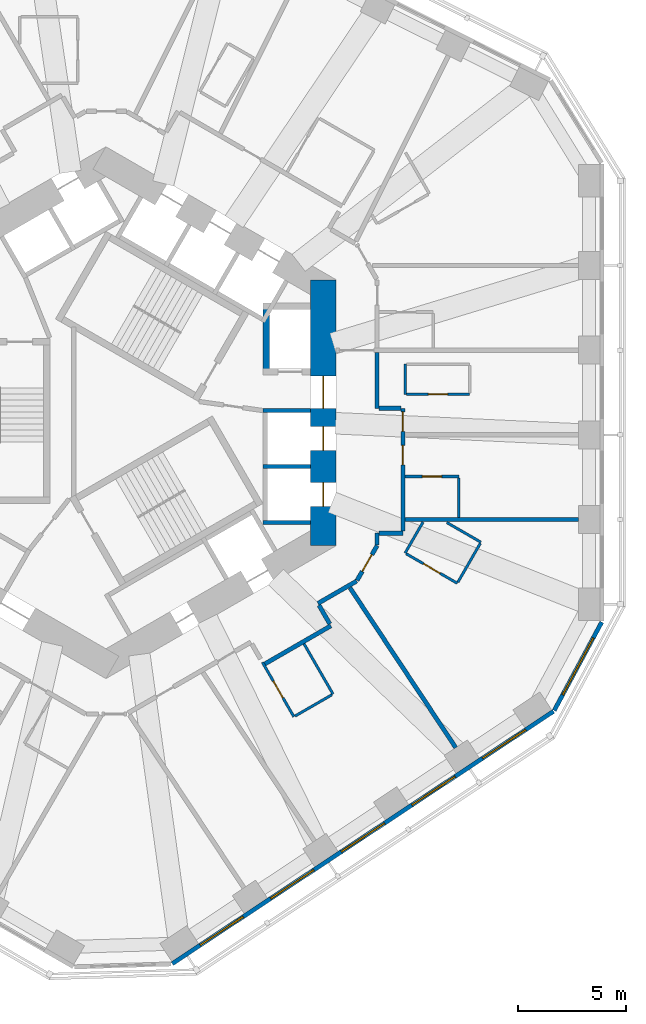
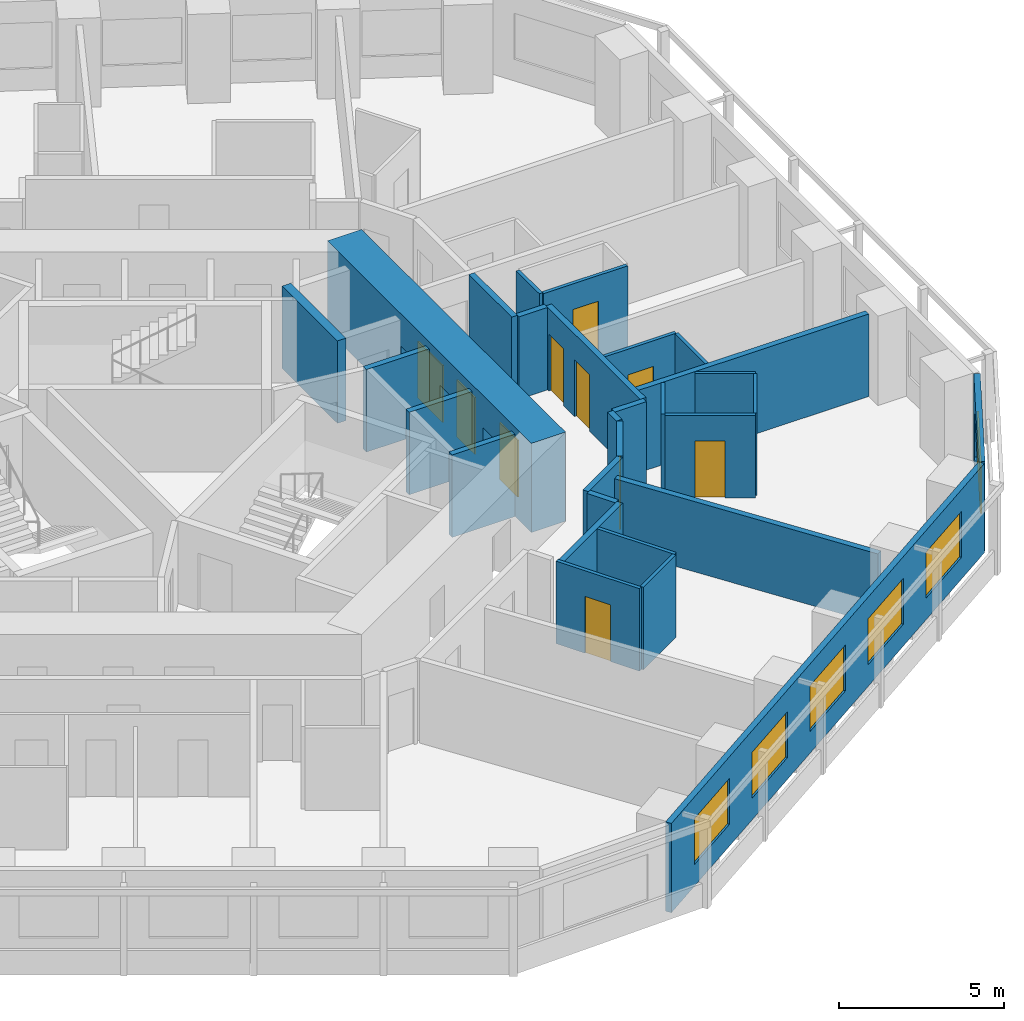
# One storey, part 6 of 12: 29 walls, 10 doors, 6 windows, 16 openings.
"""IFC4 building model written with IfcOpenShell, lengths in metres."""

from ifc_helpers import new_model, si_unit, direction, frame, frame_2d, origin, place, context, subcontext, project, spatial, rectangle, extrude, material, layer, layer_set, type_object, element, fill, save


model = new_model("IFC4")

# Units and contexts
model_context = context("Model", 3, precision=1e-05, world=origin(), true_north=direction((0.0, 1.0)))
body_context = subcontext(model_context, "Body", "Model", "MODEL_VIEW")
ifc_project = project(units=[si_unit("LENGTHUNIT", "METRE"), si_unit("AREAUNIT", "SQUARE_METRE"), si_unit("VOLUMEUNIT", "CUBIC_METRE"), si_unit("PLANEANGLEUNIT", "RADIAN"), si_unit("MASSUNIT", "GRAM", prefix="KILO")], contexts=[model_context])

# Site, building, storey
site_placement = place(None, origin())
site = spatial("IfcSite", under=ifc_project, at=site_placement, CompositionType="ELEMENT")
building_placement = place(site_placement, origin())
building = spatial("IfcBuilding", under=site, at=building_placement, Name="Vanh Sen Convention Tower", CompositionType="ELEMENT")
storey_placement = place(building_placement, frame((0.0, 0.0, 53.89990234375)))
storey = spatial("IfcBuildingStorey", under=building, at=storey_placement, Name="L10", CompositionType="ELEMENT", Elevation=53.89990234375)

# Wall, opening, door
ifc_material_1 = material(Name="Moisture-resistant gypsum board on steel studs", Category="steel")
ifc_layer_1 = layer(ifc_material_1, 0.1201171875)
ifc_layer_set_1 = layer_set([ifc_layer_1], Name="Moisture-resistant gypsum board on steel studs")
wall_type_1 = type_object("IfcWallType", Name="Bathroom partition 120", PredefinedType="PARTITIONING", material=ifc_layer_set_1)
wall_1_placement = place(storey_placement, frame((8.732666015625, -14.12744140625, 0.0), z_axis=(0.0, 0.0, 1.0), x_axis=(-0.499978132246, 0.86603802877, 0.0)))
wall_1 = element("IfcWall", 1, at=wall_1_placement, inside=storey, type_object=wall_type_1, Name="Bathroom partition 120", PredefinedType="PARTITIONING", context=body_context, shape_type="SweptSolid", body=[
    extrude(rectangle(XDim=2.920654296875, YDim=0.1201171875, at=frame_2d((1.46044921875, 0.0))), origin(), (0.0, 0.0, 1.0), 3.050048828125),
])
opening_1_placement = place(wall_1_placement, frame((1.01025390625, 0.0, 0.0)))
opening_1 = element("IfcOpeningElement", 2, at=opening_1_placement, cuts=wall_1, Name="Opening D10136", PredefinedType="OPENING", context=body_context, shape_type="SweptSolid", body=[
    extrude(rectangle(XDim=0.89990234375, YDim=2.10009765625, at=frame_2d((0.449951171875, 1.050048828125))), frame((0.0, 0.070068359375, 0.0), z_axis=(0.0, -1.0, 0.0), x_axis=(1.0, 0.0, 0.0)), (0.0, 0.0, 1.0), 0.14013671875),
])
ifc_material_2 = material(Name="Laminate door in steel frame", Category="steel")
door_type_1 = type_object("IfcDoorType", Name="En-suite door 900", OperationType="SINGLE_SWING_LEFT", PredefinedType="DOOR", material=ifc_material_2)
door_1_placement = place(opening_1_placement, origin())
door_1 = element("IfcDoor", 3, at=door_1_placement, inside=storey, type_object=door_type_1, Name="En-suite door D10136", OperationType="SINGLE_SWING_LEFT", OverallHeight=2.10009765625, OverallWidth=0.89990234375, PredefinedType="DOOR", context=body_context, shape_type="SweptSolid", body=[
    extrude(rectangle(XDim=0.89990234375, YDim=2.10009765625, at=frame_2d((0.449951171875, 1.050048828125))), frame((0.0, 0.02490234375, 0.0), z_axis=(0.0, -1.0, 0.0), x_axis=(1.0, 0.0, 0.0)), (0.0, 0.0, 1.0), 0.050048828125),
])
fill(opening_1, door_1)

# Walls
wall_2_placement = place(storey_placement, frame((9.202880859375, -10.738037109375, 0.0), z_axis=(0.0, 0.0, 1.0), x_axis=(0.50000943426, -0.866019956843, 0.0)))
element("IfcWall", 4, at=wall_2_placement, inside=storey, type_object=wall_type_1, Name="Bathroom partition 120", PredefinedType="PARTITIONING", context=body_context, shape_type="SweptSolid", body=[
    extrude(rectangle(XDim=2.7001953125, YDim=0.1201171875, at=frame_2d((1.35009765625, 0.0))), origin(), (0.0, 0.0, 1.0), 3.050048828125),
])
wall_3_placement = place(storey_placement, frame((10.5009765625, -13.1064453125, 0.0), z_axis=(0.0, 0.0, 1.0), x_axis=(-0.866013262469, -0.500021028785, 0.0)))
element("IfcWall", 5, at=wall_3_placement, inside=storey, type_object=wall_type_1, Name="Bathroom partition 120", PredefinedType="PARTITIONING", context=body_context, shape_type="SweptSolid", body=[
    extrude(rectangle(XDim=1.98193359375, YDim=0.1201171875, at=frame_2d((0.990966796875, 0.0))), origin(), (0.0, 0.0, 1.0), 3.050048828125),
])
wall_4_placement = place(storey_placement, frame((13.90087890625, -6.5244140625, 0.0), z_axis=(0.0, 0.0, 1.0), x_axis=(0.499964162598, 0.86604609353, 0.0)))
element("IfcWall", 6, at=wall_4_placement, inside=storey, type_object=wall_type_1, Name="Bathroom partition 120", PredefinedType="PARTITIONING", context=body_context, shape_type="SweptSolid", body=[
    extrude(rectangle(XDim=1.6611328125, YDim=0.1201171875, at=frame_2d((0.83056640625, 0.0))), origin(), (0.0, 0.0, 1.0), 3.050048828125),
])

# Wall, opening, door
wall_5_placement = place(storey_placement, frame((13.90087890625, -2.964599609375, 0.0), z_axis=(0.0, 0.0, 1.0), x_axis=(1.0, 0.0, 0.0)))
wall_5 = element("IfcWall", 7, at=wall_5_placement, inside=storey, type_object=wall_type_1, Name="Bathroom partition 120", PredefinedType="PARTITIONING", context=body_context, shape_type="SweptSolid", body=[
    extrude(rectangle(XDim=2.5, YDim=0.1201171875, at=frame_2d((1.25, 0.0))), origin(), (0.0, 0.0, 1.0), 3.050048828125),
])
opening_2_placement = place(wall_5_placement, frame((0.800048828125, 0.0, 0.0)))
opening_2 = element("IfcOpeningElement", 8, at=opening_2_placement, cuts=wall_5, Name="Opening D10102", PredefinedType="OPENING", context=body_context, shape_type="SweptSolid", body=[
    extrude(rectangle(XDim=0.89990234375, YDim=2.10009765625, at=frame_2d((0.449951171875, 1.050048828125))), frame((0.0, 0.070068359375, 0.0), z_axis=(0.0, -1.0, 0.0), x_axis=(1.0, 0.0, 0.0)), (0.0, 0.0, 1.0), 0.14013671875),
])
door_2_placement = place(opening_2_placement, origin())
door_2 = element("IfcDoor", 9, at=door_2_placement, inside=storey, type_object=door_type_1, Name="En-suite door D10102", OperationType="SINGLE_SWING_LEFT", OverallHeight=2.10009765625, OverallWidth=0.89990234375, PredefinedType="DOOR", context=body_context, shape_type="SweptSolid", body=[
    extrude(rectangle(XDim=0.89990234375, YDim=2.10009765625, at=frame_2d((0.449951171875, 1.050048828125))), frame((0.0, 0.02490234375, 0.0), z_axis=(0.0, -1.0, 0.0), x_axis=(1.0, 0.0, 0.0)), (0.0, 0.0, 1.0), 0.050048828125),
])
fill(opening_2, door_2)

# Walls
wall_6_placement = place(storey_placement, frame((13.89990234375, 0.852783203125, 0.0), z_axis=(0.0, 0.0, 1.0), x_axis=(0.0, 1.0, 0.0)))
element("IfcWall", 10, at=wall_6_placement, inside=storey, type_object=wall_type_1, Name="Bathroom partition 120", PredefinedType="PARTITIONING", context=body_context, shape_type="SweptSolid", body=[
    extrude(rectangle(XDim=1.39990234375, YDim=0.1201171875, at=frame_2d((0.699951171875, 0.0))), origin(), (0.0, 0.0, 1.0), 3.050048828125),
])
wall_7_placement = place(storey_placement, frame((15.84130859375, -5.1044921875, 0.0), z_axis=(0.0, 0.0, 1.0), x_axis=(0.866025591402, -0.499999675036, 0.0)))
element("IfcWall", 11, at=wall_7_placement, inside=storey, type_object=wall_type_1, Name="Bathroom partition 120", PredefinedType="PARTITIONING", context=body_context, shape_type="SweptSolid", body=[
    extrude(rectangle(XDim=1.82958984375, YDim=0.1201171875, at=frame_2d((0.914794921875, 0.0))), origin(), (0.0, 0.0, 1.0), 3.050048828125),
])

# Wall, opening, door
wall_8_placement = place(storey_placement, frame((16.32568359375, -7.924560546875, 0.0), z_axis=(0.0, 0.0, 1.0), x_axis=(-0.865997131366, 0.500048966069, 0.0)))
wall_8 = element("IfcWall", 12, at=wall_8_placement, inside=storey, type_object=wall_type_1, Name="Bathroom partition 120", PredefinedType="PARTITIONING", context=body_context, shape_type="SweptSolid", body=[
    extrude(rectangle(XDim=2.739990234375, YDim=0.1201171875, at=frame_2d((1.3701171875, 0.0))), origin(), (0.0, 0.0, 1.0), 3.050048828125),
])
opening_3_placement = place(wall_8_placement, frame((0.919921875, 0.0, 0.0)))
opening_3 = element("IfcOpeningElement", 13, at=opening_3_placement, cuts=wall_8, Name="Opening D10138", PredefinedType="OPENING", context=body_context, shape_type="SweptSolid", body=[
    extrude(rectangle(XDim=0.89990234375, YDim=2.10009765625, at=frame_2d((0.449951171875, 1.050048828125))), frame((0.0, 0.070068359375, 0.0), z_axis=(0.0, -1.0, 0.0), x_axis=(1.0, 0.0, 0.0)), (0.0, 0.0, 1.0), 0.14013671875),
])
door_3_placement = place(opening_3_placement, origin())
door_3 = element("IfcDoor", 14, at=door_3_placement, inside=storey, type_object=door_type_1, Name="En-suite door D10138", OperationType="SINGLE_SWING_LEFT", OverallHeight=2.10009765625, OverallWidth=0.89990234375, PredefinedType="DOOR", context=body_context, shape_type="SweptSolid", body=[
    extrude(rectangle(XDim=0.89990234375, YDim=2.10009765625, at=frame_2d((0.449951171875, 1.050048828125))), frame((0.0, 0.02490234375, 0.0), z_axis=(0.0, -1.0, 0.0), x_axis=(1.0, 0.0, 0.0)), (0.0, 0.0, 1.0), 0.050048828125),
])
fill(opening_3, door_3)

# Wall
wall_9_placement = place(storey_placement, frame((16.40087890625, -3.024658203125, 0.0), z_axis=(0.0, 0.0, 1.0), x_axis=(0.0, -1.0, 0.0)))
element("IfcWall", 15, at=wall_9_placement, inside=storey, type_object=wall_type_1, Name="Bathroom partition 120", PredefinedType="PARTITIONING", context=body_context, shape_type="SweptSolid", body=[
    extrude(rectangle(XDim=1.83984375, YDim=0.1201171875, at=frame_2d((0.919921875, 0.0))), origin(), (0.0, 0.0, 1.0), 3.050048828125),
])

# Wall, opening, door
wall_10_placement = place(storey_placement, frame((16.89990234375, 0.852783203125, 0.0), z_axis=(0.0, 0.0, 1.0), x_axis=(-1.0, 0.0, 0.0)))
wall_10 = element("IfcWall", 16, at=wall_10_placement, inside=storey, type_object=wall_type_1, Name="Bathroom partition 120", PredefinedType="PARTITIONING", context=body_context, shape_type="SweptSolid", body=[
    extrude(rectangle(XDim=2.93994140625, YDim=0.1201171875, at=frame_2d((1.469970703125, 0.0))), origin(), (0.0, 0.0, 1.0), 3.050048828125),
])
opening_4_placement = place(wall_10_placement, frame((1.02001953125, 0.0, 0.0)))
opening_4 = element("IfcOpeningElement", 17, at=opening_4_placement, cuts=wall_10, Name="Opening D10104", PredefinedType="OPENING", context=body_context, shape_type="SweptSolid", body=[
    extrude(rectangle(XDim=0.89990234375, YDim=2.10009765625, at=frame_2d((0.449951171875, 1.050048828125))), frame((0.0, 0.070068359375, 0.0), z_axis=(0.0, -1.0, 0.0), x_axis=(1.0, 0.0, 0.0)), (0.0, 0.0, 1.0), 0.14013671875),
])
door_4_placement = place(opening_4_placement, origin())
door_4 = element("IfcDoor", 18, at=door_4_placement, inside=storey, type_object=door_type_1, Name="En-suite door D10104", OperationType="SINGLE_SWING_LEFT", OverallHeight=2.10009765625, OverallWidth=0.89990234375, PredefinedType="DOOR", context=body_context, shape_type="SweptSolid", body=[
    extrude(rectangle(XDim=0.89990234375, YDim=2.10009765625, at=frame_2d((0.449951171875, 1.050048828125))), frame((0.0, 0.02490234375, 0.0), z_axis=(0.0, -1.0, 0.0), x_axis=(1.0, 0.0, 0.0)), (0.0, 0.0, 1.0), 0.050048828125),
])
fill(opening_4, door_4)

# Wall
wall_11_placement = place(storey_placement, frame((17.395751953125, -6.0712890625, 0.0), z_axis=(0.0, 0.0, 1.0), x_axis=(-0.500027264788, -0.866009661879, 0.0)))
element("IfcWall", 19, at=wall_11_placement, inside=storey, type_object=wall_type_1, Name="Bathroom partition 120", PredefinedType="PARTITIONING", context=body_context, shape_type="SweptSolid", body=[
    extrude(rectangle(XDim=2.080078125, YDim=0.1201171875, at=frame_2d((1.0400390625, 0.0))), origin(), (0.0, 0.0, 1.0), 3.050048828125),
])

# Wall, openings, doors
ifc_material_3 = material(Name="Concrete C80/95", Category="concrete")
ifc_layer_2 = layer(ifc_material_3, 1.199951171875)
ifc_layer_set_2 = layer_set([ifc_layer_2], Name="Concrete C80/95")
wall_type_2 = type_object("IfcWallType", Name="Core outer wall 1200 C80/95", PredefinedType="SHEAR", material=ifc_layer_set_2)
wall_12_placement = place(storey_placement, frame((10.10009765625, -6.177490234375, 0.0), z_axis=(0.0, 0.0, 1.0), x_axis=(0.0, 1.0, 0.0)))
wall_12 = element("IfcWall", 20, at=wall_12_placement, inside=storey, type_object=wall_type_2, Name="Core wall face E L10", PredefinedType="SHEAR", context=body_context, shape_type="SweptSolid", body=[
    extrude(rectangle(XDim=12.35498046875, YDim=1.199951171875, at=frame_2d((6.177490234375, 0.0))), origin(), (0.0, 0.0, 1.0), 3.300048828125),
])
opening_5_placement = place(wall_12_placement, frame((6.377685546875, 0.0, 0.0)))
opening_5 = element("IfcOpeningElement", 21, at=opening_5_placement, cuts=wall_12, Name="Opening D10001", PredefinedType="OPENING", context=body_context, shape_type="SweptSolid", body=[
    extrude(rectangle(XDim=1.5, YDim=2.10009765625, at=frame_2d((0.75, 1.050048828125))), frame((0.0, 0.60986328125, 0.0), z_axis=(0.0, -1.0, 0.0), x_axis=(1.0, 0.0, 0.0)), (0.0, 0.0, 1.0), 1.219970703125),
])
opening_6_placement = place(wall_12_placement, frame((1.82763671875, 0.0, 0.0)))
opening_6 = element("IfcOpeningElement", 22, at=opening_6_placement, cuts=wall_12, Name="Opening LD-LR1", PredefinedType="OPENING", context=body_context, shape_type="SweptSolid", body=[
    extrude(rectangle(XDim=1.10009765625, YDim=2.10009765625, at=frame_2d((0.550048828125, 1.050048828125))), frame((0.0, 0.60986328125, 0.0), z_axis=(0.0, -1.0, 0.0), x_axis=(1.0, 0.0, 0.0)), (0.0, 0.0, 1.0), 1.219970703125),
])
opening_7_placement = place(wall_12_placement, frame((4.427490234375, 0.0, 0.0)))
opening_7 = element("IfcOpeningElement", 23, at=opening_7_placement, cuts=wall_12, Name="Opening LD-LR2", PredefinedType="OPENING", context=body_context, shape_type="SweptSolid", body=[
    extrude(rectangle(XDim=1.10009765625, YDim=2.10009765625, at=frame_2d((0.550048828125, 1.050048828125))), frame((0.0, 0.60986328125, 0.0), z_axis=(0.0, -1.0, 0.0), x_axis=(1.0, 0.0, 0.0)), (0.0, 0.0, 1.0), 1.219970703125),
])
ifc_material_4 = material(Name="Stainless steel", Category="steel")
door_type_2 = type_object("IfcDoorType", Name="Lift landing door 1100", OperationType="DOUBLE_DOOR_SLIDING", PredefinedType="DOOR", material=ifc_material_4)
door_5_placement = place(opening_6_placement, origin())
door_5 = element("IfcDoor", 24, at=door_5_placement, inside=storey, type_object=door_type_2, Name="Lift LR1 landing door LD-LR1", OperationType="DOUBLE_DOOR_SLIDING", OverallHeight=2.10009765625, OverallWidth=1.10009765625, PredefinedType="DOOR", context=body_context, shape_type="SweptSolid", body=[
    extrude(rectangle(XDim=1.10009765625, YDim=2.10009765625, at=frame_2d((0.550048828125, 1.050048828125))), frame((0.0, 0.02490234375, 0.0), z_axis=(0.0, -1.0, 0.0), x_axis=(1.0, 0.0, 0.0)), (0.0, 0.0, 1.0), 0.050048828125),
])
fill(opening_6, door_5)
door_6_placement = place(opening_7_placement, origin())
door_6 = element("IfcDoor", 25, at=door_6_placement, inside=storey, type_object=door_type_2, Name="Lift LR2 landing door LD-LR2", OperationType="DOUBLE_DOOR_SLIDING", OverallHeight=2.10009765625, OverallWidth=1.10009765625, PredefinedType="DOOR", context=body_context, shape_type="SweptSolid", body=[
    extrude(rectangle(XDim=1.10009765625, YDim=2.10009765625, at=frame_2d((0.550048828125, 1.050048828125))), frame((0.0, 0.02490234375, 0.0), z_axis=(0.0, -1.0, 0.0), x_axis=(1.0, 0.0, 0.0)), (0.0, 0.0, 1.0), 0.050048828125),
])
fill(opening_7, door_6)
ifc_material_5 = material(Name="Steel S355", Category="steel")
door_type_3 = type_object("IfcDoorType", Name="Stair lobby door 1500", OperationType="DOUBLE_DOOR_SINGLE_SWING", PredefinedType="DOOR", material=ifc_material_5)
door_7_placement = place(opening_5_placement, origin())
door_7 = element("IfcDoor", 26, at=door_7_placement, inside=storey, type_object=door_type_3, Name="Stair lobby door D10001", OperationType="DOUBLE_DOOR_SINGLE_SWING", OverallHeight=2.10009765625, OverallWidth=1.5, PredefinedType="DOOR", context=body_context, shape_type="SweptSolid", body=[
    extrude(rectangle(XDim=1.5, YDim=2.10009765625, at=frame_2d((0.75, 1.050048828125))), frame((0.0, 0.02490234375, 0.0), z_axis=(0.0, -1.0, 0.0), x_axis=(1.0, 0.0, 0.0)), (0.0, 0.0, 1.0), 0.050048828125),
])
fill(opening_5, door_7)

# Walls
ifc_material_6 = material(Name="Gypsum board on steel studs with mineral wool", Category="steel")
ifc_layer_3 = layer(ifc_material_6, 0.199951171875)
ifc_layer_set_3 = layer_set([ifc_layer_3], Name="Gypsum board on steel studs with mineral wool")
wall_type_3 = type_object("IfcWallType", Name="Corridor partition wall 200", PredefinedType="PARTITIONING", material=ifc_layer_set_3)
wall_13_placement = place(storey_placement, frame((7.384521484375, -11.672607421875, 0.0), z_axis=(0.0, 0.0, 1.0), x_axis=(0.866037524642, 0.499979005472, 0.0)))
element("IfcWall", 27, at=wall_13_placement, inside=storey, type_object=wall_type_3, Name="Corridor partition wall 200", PredefinedType="PARTITIONING", context=body_context, shape_type="SweptSolid", body=[
    extrude(rectangle(XDim=3.542236328125, YDim=0.199951171875, at=frame_2d((1.77099609375, 0.0))), origin(), (0.0, 0.0, 1.0), 3.050048828125),
])
wall_14_placement = place(storey_placement, frame((9.8515625, -8.861328125, 0.0), z_axis=(0.0, 0.0, 1.0), x_axis=(0.866013291437, 0.500020978615, 0.0)))
element("IfcWall", 28, at=wall_14_placement, inside=storey, type_object=wall_type_3, Name="Corridor partition wall 200", PredefinedType="PARTITIONING", context=body_context, shape_type="SweptSolid", body=[
    extrude(rectangle(XDim=2.07666015625, YDim=0.199951171875, at=frame_2d((1.038330078125, 0.0))), origin(), (0.0, 0.0, 1.0), 3.050048828125),
])
wall_15_placement = place(storey_placement, frame((10.402099609375, -9.81494140625, 0.0), z_axis=(0.0, 0.0, 1.0), x_axis=(-0.499968756647, 0.866043441391, 0.0)))
element("IfcWall", 29, at=wall_15_placement, inside=storey, type_object=wall_type_3, Name="Corridor partition wall 200", PredefinedType="PARTITIONING", context=body_context, shape_type="SweptSolid", body=[
    extrude(rectangle(XDim=1.0009765625, YDim=0.199951171875, at=frame_2d((0.50048828125, 0.0))), origin(), (0.0, 0.0, 1.0), 3.050048828125),
])

# Wall, opening, door
wall_16_placement = place(storey_placement, frame((11.669921875, -7.788330078125, 0.0), z_axis=(0.0, 0.0, 1.0), x_axis=(0.500063286585, 0.865988862174, 0.0)))
wall_16 = element("IfcWall", 30, at=wall_16_placement, inside=storey, type_object=wall_type_3, Name="Corridor partition wall 200", PredefinedType="PARTITIONING", context=body_context, shape_type="SweptSolid", body=[
    extrude(rectangle(XDim=1.860107421875, YDim=0.199951171875, at=frame_2d((0.93017578125, 0.0))), origin(), (0.0, 0.0, 1.0), 3.050048828125),
])
opening_8_placement = place(wall_16_placement, frame((0.47998046875, 0.0, 0.0)))
opening_8 = element("IfcOpeningElement", 31, at=opening_8_placement, cuts=wall_16, Name="Opening D10137", PredefinedType="OPENING", context=body_context, shape_type="SweptSolid", body=[
    extrude(rectangle(XDim=0.89990234375, YDim=2.10009765625, at=frame_2d((0.449951171875, 1.050048828125))), frame((0.0, 0.10986328125, 0.0), z_axis=(0.0, -1.0, 0.0), x_axis=(1.0, 0.0, 0.0)), (0.0, 0.0, 1.0), 0.219970703125),
])
ifc_material_7 = material(Name="Timber fire door in steel frame", Category="steel")
door_type_4 = type_object("IfcDoorType", Name="Guest room door 900", OperationType="SINGLE_SWING_LEFT", PredefinedType="DOOR", material=ifc_material_7)
door_8_placement = place(opening_8_placement, origin())
door_8 = element("IfcDoor", 32, at=door_8_placement, inside=storey, type_object=door_type_4, Name="Hotel guest room door D10137", OperationType="SINGLE_SWING_LEFT", OverallHeight=2.10009765625, OverallWidth=0.89990234375, PredefinedType="DOOR", context=body_context, shape_type="SweptSolid", body=[
    extrude(rectangle(XDim=0.89990234375, YDim=2.10009765625, at=frame_2d((0.449951171875, 1.050048828125))), frame((0.0, 0.02490234375, 0.0), z_axis=(0.0, -1.0, 0.0), x_axis=(1.0, 0.0, 0.0)), (0.0, 0.0, 1.0), 0.050048828125),
])
fill(opening_8, door_8)

# Walls
wall_17_placement = place(storey_placement, frame((12.60009765625, -6.1376953125, 0.0), z_axis=(0.0, 0.0, 1.0), x_axis=(0.0, 1.0, 0.0)))
element("IfcWall", 33, at=wall_17_placement, inside=storey, type_object=wall_type_3, Name="Corridor partition wall 200", PredefinedType="PARTITIONING", context=body_context, shape_type="SweptSolid", body=[
    extrude(rectangle(XDim=0.53662109375, YDim=0.199951171875, at=frame_2d((0.268310546875, 0.0))), origin(), (0.0, 0.0, 1.0), 3.050048828125),
])
wall_18_placement = place(storey_placement, frame((12.60009765625, 0.200927734375, 0.0), z_axis=(0.0, 0.0, 1.0), x_axis=(0.0, 1.0, 0.0)))
element("IfcWall", 34, at=wall_18_placement, inside=storey, type_object=wall_type_3, Name="Corridor partition wall 200", PredefinedType="PARTITIONING", context=body_context, shape_type="SweptSolid", body=[
    extrude(rectangle(XDim=2.603515625, YDim=0.199951171875, at=frame_2d((1.3017578125, 0.0))), origin(), (0.0, 0.0, 1.0), 3.050048828125),
])
wall_19_placement = place(storey_placement, frame((12.699951171875, -5.60107421875, 0.0), z_axis=(0.0, 0.0, 1.0), x_axis=(1.0, 0.0, 0.0)))
element("IfcWall", 35, at=wall_19_placement, inside=storey, type_object=wall_type_3, Name="Corridor partition wall 200", PredefinedType="PARTITIONING", context=body_context, shape_type="SweptSolid", body=[
    extrude(rectangle(XDim=1.10107421875, YDim=0.199951171875, at=frame_2d((0.550537109375, 0.0))), origin(), (0.0, 0.0, 1.0), 3.050048828125),
])
wall_20_placement = place(storey_placement, frame((13.700927734375, 0.200927734375, 0.0), z_axis=(0.0, 0.0, 1.0), x_axis=(-1.0, 0.0, 0.0)))
element("IfcWall", 36, at=wall_20_placement, inside=storey, type_object=wall_type_3, Name="Corridor partition wall 200", PredefinedType="PARTITIONING", context=body_context, shape_type="SweptSolid", body=[
    extrude(rectangle(XDim=1.0009765625, YDim=0.199951171875, at=frame_2d((0.50048828125, 0.0))), origin(), (0.0, 0.0, 1.0), 3.050048828125),
])

# Wall, openings, doors
wall_21_placement = place(storey_placement, frame((13.801025390625, -5.5009765625, 0.0), z_axis=(0.0, 0.0, 1.0), x_axis=(0.0, 1.0, 0.0)))
wall_21 = element("IfcWall", 37, at=wall_21_placement, inside=storey, type_object=wall_type_3, Name="Corridor partition wall 200", PredefinedType="PARTITIONING", context=body_context, shape_type="SweptSolid", body=[
    extrude(rectangle(XDim=5.701904296875, YDim=0.199951171875, at=frame_2d((2.85107421875, 0.0))), origin(), (0.0, 0.0, 1.0), 3.050048828125),
])
opening_9_placement = place(wall_21_placement, frame((3.07861328125, 0.0, 0.0)))
opening_9 = element("IfcOpeningElement", 38, at=opening_9_placement, cuts=wall_21, Name="Opening D10101", PredefinedType="OPENING", context=body_context, shape_type="SweptSolid", body=[
    extrude(rectangle(XDim=0.89990234375, YDim=2.10009765625, at=frame_2d((0.449951171875, 1.050048828125))), frame((0.0, 0.10986328125, 0.0), z_axis=(0.0, -1.0, 0.0), x_axis=(1.0, 0.0, 0.0)), (0.0, 0.0, 1.0), 0.219970703125),
])
opening_10_placement = place(wall_21_placement, frame((4.636474609375, 0.0, 0.0)))
opening_10 = element("IfcOpeningElement", 39, at=opening_10_placement, cuts=wall_21, Name="Opening D10103", PredefinedType="OPENING", context=body_context, shape_type="SweptSolid", body=[
    extrude(rectangle(XDim=0.89990234375, YDim=2.10009765625, at=frame_2d((0.449951171875, 1.050048828125))), frame((0.0, 0.10986328125, 0.0), z_axis=(0.0, -1.0, 0.0), x_axis=(1.0, 0.0, 0.0)), (0.0, 0.0, 1.0), 0.219970703125),
])
door_9_placement = place(opening_9_placement, origin())
door_9 = element("IfcDoor", 40, at=door_9_placement, inside=storey, type_object=door_type_4, Name="Hotel guest room door D10101", OperationType="SINGLE_SWING_LEFT", OverallHeight=2.10009765625, OverallWidth=0.89990234375, PredefinedType="DOOR", context=body_context, shape_type="SweptSolid", body=[
    extrude(rectangle(XDim=0.89990234375, YDim=2.10009765625, at=frame_2d((0.449951171875, 1.050048828125))), frame((0.0, 0.02490234375, 0.0), z_axis=(0.0, -1.0, 0.0), x_axis=(1.0, 0.0, 0.0)), (0.0, 0.0, 1.0), 0.050048828125),
])
fill(opening_9, door_9)
door_10_placement = place(opening_10_placement, origin())
door_10 = element("IfcDoor", 41, at=door_10_placement, inside=storey, type_object=door_type_4, Name="Hotel guest room door D10103", OperationType="SINGLE_SWING_LEFT", OverallHeight=2.10009765625, OverallWidth=0.89990234375, PredefinedType="DOOR", context=body_context, shape_type="SweptSolid", body=[
    extrude(rectangle(XDim=0.89990234375, YDim=2.10009765625, at=frame_2d((0.449951171875, 1.050048828125))), frame((0.0, 0.02490234375, 0.0), z_axis=(0.0, -1.0, 0.0), x_axis=(1.0, 0.0, 0.0)), (0.0, 0.0, 1.0), 0.050048828125),
])
fill(opening_10, door_10)

# Wall, openings, windows
ifc_material_8 = material(Name="Insulated lightweight infill wall")
ifc_layer_4 = layer(ifc_material_8, 0.199951171875)
ifc_layer_set_4 = layer_set([ifc_layer_4], Name="Insulated lightweight infill wall")
wall_type_4 = type_object("IfcWallType", Name="External wall 200", PredefinedType="STANDARD", material=ifc_layer_set_4)
wall_22_placement = place(storey_placement, frame((3.0830078125, -25.60107421875, 0.0), z_axis=(0.0, 0.0, 1.0), x_axis=(0.833884295743, 0.551939291329, 0.0)))
wall_22 = element("IfcWall", 42, at=wall_22_placement, inside=storey, type_object=wall_type_4, Name="External wall SE L10", PredefinedType="STANDARD", context=body_context, shape_type="SweptSolid", body=[
    extrude(rectangle(XDim=21.24609375, YDim=0.199951171875, at=frame_2d((10.623046875, 0.0))), origin(), (0.0, 0.0, 1.0), 3.300048828125),
])
opening_11_placement = place(wall_22_placement, frame((1.552978515625, 0.0, 0.800048828125)))
opening_11 = element("IfcOpeningElement", 43, at=opening_11_placement, cuts=wall_22, Name="Opening WH1-SE1", PredefinedType="OPENING", context=body_context, shape_type="SweptSolid", body=[
    extrude(rectangle(XDim=2.39990234375, YDim=1.699951171875, at=frame_2d((1.199951171875, 0.85009765625))), frame((0.0, 0.10986328125, 0.0), z_axis=(0.0, -1.0, 0.0), x_axis=(1.0, 0.0, 0.0)), (0.0, 0.0, 1.0), 0.219970703125),
])
opening_12_placement = place(wall_22_placement, frame((5.487548828125, 0.0, 0.800048828125)))
opening_12 = element("IfcOpeningElement", 44, at=opening_12_placement, cuts=wall_22, Name="Opening WH1-SE2", PredefinedType="OPENING", context=body_context, shape_type="SweptSolid", body=[
    extrude(rectangle(XDim=2.39990234375, YDim=1.699951171875, at=frame_2d((1.199951171875, 0.85009765625))), frame((0.0, 0.10986328125, 0.0), z_axis=(0.0, -1.0, 0.0), x_axis=(1.0, 0.0, 0.0)), (0.0, 0.0, 1.0), 0.219970703125),
])
opening_13_placement = place(wall_22_placement, frame((9.422119140625, 0.0, 0.800048828125)))
opening_13 = element("IfcOpeningElement", 45, at=opening_13_placement, cuts=wall_22, Name="Opening WH1-SE3", PredefinedType="OPENING", context=body_context, shape_type="SweptSolid", body=[
    extrude(rectangle(XDim=2.39990234375, YDim=1.699951171875, at=frame_2d((1.199951171875, 0.85009765625))), frame((0.0, 0.10986328125, 0.0), z_axis=(0.0, -1.0, 0.0), x_axis=(1.0, 0.0, 0.0)), (0.0, 0.0, 1.0), 0.219970703125),
])
opening_14_placement = place(wall_22_placement, frame((13.356689453125, 0.0, 0.800048828125)))
opening_14 = element("IfcOpeningElement", 46, at=opening_14_placement, cuts=wall_22, Name="Opening WH1-SE4", PredefinedType="OPENING", context=body_context, shape_type="SweptSolid", body=[
    extrude(rectangle(XDim=2.39990234375, YDim=1.699951171875, at=frame_2d((1.199951171875, 0.85009765625))), frame((0.0, 0.10986328125, 0.0), z_axis=(0.0, -1.0, 0.0), x_axis=(1.0, 0.0, 0.0)), (0.0, 0.0, 1.0), 0.219970703125),
])
opening_15_placement = place(wall_22_placement, frame((17.291259765625, 0.0, 0.800048828125)))
opening_15 = element("IfcOpeningElement", 47, at=opening_15_placement, cuts=wall_22, Name="Opening WH1-SE5", PredefinedType="OPENING", context=body_context, shape_type="SweptSolid", body=[
    extrude(rectangle(XDim=2.39990234375, YDim=1.699951171875, at=frame_2d((1.199951171875, 0.85009765625))), frame((0.0, 0.10986328125, 0.0), z_axis=(0.0, -1.0, 0.0), x_axis=(1.0, 0.0, 0.0)), (0.0, 0.0, 1.0), 0.219970703125),
])
ifc_material_9 = material(Name="Aluminium frame with clear low-emissivity glass", Category="aluminium")
window_type_1 = type_object("IfcWindowType", Name="Hotel window 2400 x 1700", PartitioningType="SINGLE_PANEL", PredefinedType="WINDOW", material=ifc_material_9)
window_1_placement = place(opening_11_placement, origin())
window_1 = element("IfcWindow", 48, at=window_1_placement, inside=storey, type_object=window_type_1, Name="Window WH1-SE1", OverallHeight=1.699951171875, OverallWidth=2.39990234375, PartitioningType="SINGLE_PANEL", PredefinedType="WINDOW", context=body_context, shape_type="SweptSolid", body=[
    extrude(rectangle(XDim=2.39990234375, YDim=1.699951171875, at=frame_2d((1.199951171875, 0.85009765625))), frame((0.0, 0.030029296875, 0.0), z_axis=(0.0, -1.0, 0.0), x_axis=(1.0, 0.0, 0.0)), (0.0, 0.0, 1.0), 0.06005859375),
])
fill(opening_11, window_1)
window_2_placement = place(opening_12_placement, origin())
window_2 = element("IfcWindow", 49, at=window_2_placement, inside=storey, type_object=window_type_1, Name="Window WH1-SE2", OverallHeight=1.699951171875, OverallWidth=2.39990234375, PartitioningType="SINGLE_PANEL", PredefinedType="WINDOW", context=body_context, shape_type="SweptSolid", body=[
    extrude(rectangle(XDim=2.39990234375, YDim=1.699951171875, at=frame_2d((1.199951171875, 0.85009765625))), frame((0.0, 0.030029296875, 0.0), z_axis=(0.0, -1.0, 0.0), x_axis=(1.0, 0.0, 0.0)), (0.0, 0.0, 1.0), 0.06005859375),
])
fill(opening_12, window_2)
window_3_placement = place(opening_13_placement, origin())
window_3 = element("IfcWindow", 50, at=window_3_placement, inside=storey, type_object=window_type_1, Name="Window WH1-SE3", OverallHeight=1.699951171875, OverallWidth=2.39990234375, PartitioningType="SINGLE_PANEL", PredefinedType="WINDOW", context=body_context, shape_type="SweptSolid", body=[
    extrude(rectangle(XDim=2.39990234375, YDim=1.699951171875, at=frame_2d((1.199951171875, 0.85009765625))), frame((0.0, 0.030029296875, 0.0), z_axis=(0.0, -1.0, 0.0), x_axis=(1.0, 0.0, 0.0)), (0.0, 0.0, 1.0), 0.06005859375),
])
fill(opening_13, window_3)
window_4_placement = place(opening_14_placement, origin())
window_4 = element("IfcWindow", 51, at=window_4_placement, inside=storey, type_object=window_type_1, Name="Window WH1-SE4", OverallHeight=1.699951171875, OverallWidth=2.39990234375, PartitioningType="SINGLE_PANEL", PredefinedType="WINDOW", context=body_context, shape_type="SweptSolid", body=[
    extrude(rectangle(XDim=2.39990234375, YDim=1.699951171875, at=frame_2d((1.199951171875, 0.85009765625))), frame((0.0, 0.030029296875, 0.0), z_axis=(0.0, -1.0, 0.0), x_axis=(1.0, 0.0, 0.0)), (0.0, 0.0, 1.0), 0.06005859375),
])
fill(opening_14, window_4)
window_5_placement = place(opening_15_placement, origin())
window_5 = element("IfcWindow", 52, at=window_5_placement, inside=storey, type_object=window_type_1, Name="Window WH1-SE5", OverallHeight=1.699951171875, OverallWidth=2.39990234375, PartitioningType="SINGLE_PANEL", PredefinedType="WINDOW", context=body_context, shape_type="SweptSolid", body=[
    extrude(rectangle(XDim=2.39990234375, YDim=1.699951171875, at=frame_2d((1.199951171875, 0.85009765625))), frame((0.0, 0.030029296875, 0.0), z_axis=(0.0, -1.0, 0.0), x_axis=(1.0, 0.0, 0.0)), (0.0, 0.0, 1.0), 0.06005859375),
])
fill(opening_15, window_5)

# Wall, opening, window
wall_23_placement = place(storey_placement, frame((20.83251953125, -13.838623046875, 0.0), z_axis=(0.0, 0.0, 1.0), x_axis=(0.473321668581, 0.880889662813, 0.0)))
wall_23 = element("IfcWall", 53, at=wall_23_placement, inside=storey, type_object=wall_type_4, Name="External wall CH6 L10", PredefinedType="STANDARD", context=body_context, shape_type="SweptSolid", body=[
    extrude(rectangle(XDim=4.65966796875, YDim=0.199951171875, at=frame_2d((2.329833984375, 0.0))), origin(), (0.0, 0.0, 1.0), 3.300048828125),
])
opening_16_placement = place(wall_23_placement, frame((0.829833984375, 0.0, 0.800048828125)))
opening_16 = element("IfcOpeningElement", 54, at=opening_16_placement, cuts=wall_23, Name="Opening WH2-CH61", PredefinedType="OPENING", context=body_context, shape_type="SweptSolid", body=[
    extrude(rectangle(XDim=3.0, YDim=1.699951171875, at=frame_2d((1.5, 0.85009765625))), frame((0.0, 0.10986328125, 0.0), z_axis=(0.0, -1.0, 0.0), x_axis=(1.0, 0.0, 0.0)), (0.0, 0.0, 1.0), 0.219970703125),
])
window_type_2 = type_object("IfcWindowType", Name="Hotel window 3000 x 1700", PartitioningType="SINGLE_PANEL", PredefinedType="WINDOW", material=ifc_material_9)
window_6_placement = place(opening_16_placement, origin())
window_6 = element("IfcWindow", 55, at=window_6_placement, inside=storey, type_object=window_type_2, Name="Window WH2-CH61", OverallHeight=1.699951171875, OverallWidth=3.0, PartitioningType="SINGLE_PANEL", PredefinedType="WINDOW", context=body_context, shape_type="SweptSolid", body=[
    extrude(rectangle(XDim=3.0, YDim=1.699951171875, at=frame_2d((1.5, 0.85009765625))), frame((0.0, 0.030029296875, 0.0), z_axis=(0.0, -1.0, 0.0), x_axis=(1.0, 0.0, 0.0)), (0.0, 0.0, 1.0), 0.06005859375),
])
fill(opening_16, window_6)

# Walls
ifc_material_10 = material(Name="Concrete C60/75", Category="concrete")
ifc_layer_5 = layer(ifc_material_10, 0.300048828125)
ifc_layer_set_5 = layer_set([ifc_layer_5], Name="Concrete C60/75")
wall_type_5 = type_object("IfcWallType", Name="Fire-fighting lift shaft wall 300", PredefinedType="SHEAR", material=ifc_layer_set_5)
wall_24_placement = place(storey_placement, frame((7.449951171875, 1.75, 0.0), z_axis=(0.0, 0.0, 1.0), x_axis=(0.0, 1.0, 0.0)))
element("IfcWall", 56, at=wall_24_placement, inside=storey, type_object=wall_type_5, Name="Fire-fighting lift shaft wall L10", PredefinedType="SHEAR", context=body_context, shape_type="SweptSolid", body=[
    extrude(rectangle(XDim=3.35009765625, YDim=0.300048828125, at=frame_2d((1.675048828125, 0.0))), origin(), (0.0, 0.0, 1.0), 3.050048828125),
])
ifc_layer_6 = layer(ifc_material_6, 0.199951171875)
ifc_layer_set_6 = layer_set([ifc_layer_6], Name="Gypsum board on steel studs with mineral wool")
wall_type_6 = type_object("IfcWallType", Name="Hotel party wall 200", PredefinedType="PARTITIONING", material=ifc_layer_set_6)
wall_25_placement = place(storey_placement, frame((13.90087890625, -4.964599609375, 0.0), z_axis=(0.0, 0.0, 1.0), x_axis=(1.0, 0.0, 0.0)))
element("IfcWall", 57, at=wall_25_placement, inside=storey, type_object=wall_type_6, Name="Hotel party wall 200", PredefinedType="PARTITIONING", context=body_context, shape_type="SweptSolid", body=[
    extrude(rectangle(XDim=8.049072265625, YDim=0.199951171875, at=frame_2d((4.0244140625, 0.0))), origin(), (0.0, 0.0, 1.0), 3.050048828125),
])
wall_26_placement = place(storey_placement, frame((16.2548828125, -15.563720703125, 0.0), z_axis=(0.0, 0.0, 1.0), x_axis=(-0.55192208744, 0.833895682562, 0.0)))
element("IfcWall", 58, at=wall_26_placement, inside=storey, type_object=wall_type_6, Name="Hotel party wall 200", PredefinedType="PARTITIONING", context=body_context, shape_type="SweptSolid", body=[
    extrude(rectangle(XDim=8.912841796875, YDim=0.199951171875, at=frame_2d((4.45654296875, 0.0))), origin(), (0.0, 0.0, 1.0), 2.60009765625),
])
ifc_material_11 = material(Name="Concrete C40/50", Category="concrete")
ifc_layer_7 = layer(ifc_material_11, 0.199951171875)
ifc_layer_set_7 = layer_set([ifc_layer_7], Name="Concrete C40/50")
wall_type_7 = type_object("IfcWallType", Name="Lift shaft wall 200", PredefinedType="PARTITIONING", material=ifc_layer_set_7)
for number, where, z_axis, x_axis, name in (
    (59, (7.300048828125, -5.10009765625, 0.0), (0.0, 0.0, 1.0), (1.0, 0.0, 0.0), "Lift shaft wall L10"),
    (60, (7.300048828125, -2.5, 0.0), (0.0, 0.0, 1.0), (1.0, 0.0, 0.0), "Lift shaft wall L10"),
    (61, (7.300048828125, 0.10009765625, 0.0), (0.0, 0.0, 1.0), (1.0, 0.0, 0.0), "Lift shaft wall L10"),
):
    element("IfcWall", number, at=place(storey_placement, frame(where, z_axis=z_axis, x_axis=x_axis)), inside=storey, type_object=wall_type_7, Name=name, PredefinedType="PARTITIONING", context=body_context, shape_type="SweptSolid", body=[
        extrude(rectangle(XDim=2.199951171875, YDim=0.199951171875, at=frame_2d((1.10009765625, 0.0))), origin(), (0.0, 0.0, 1.0), 3.050048828125),
    ])

save(model, "model.ifc")
